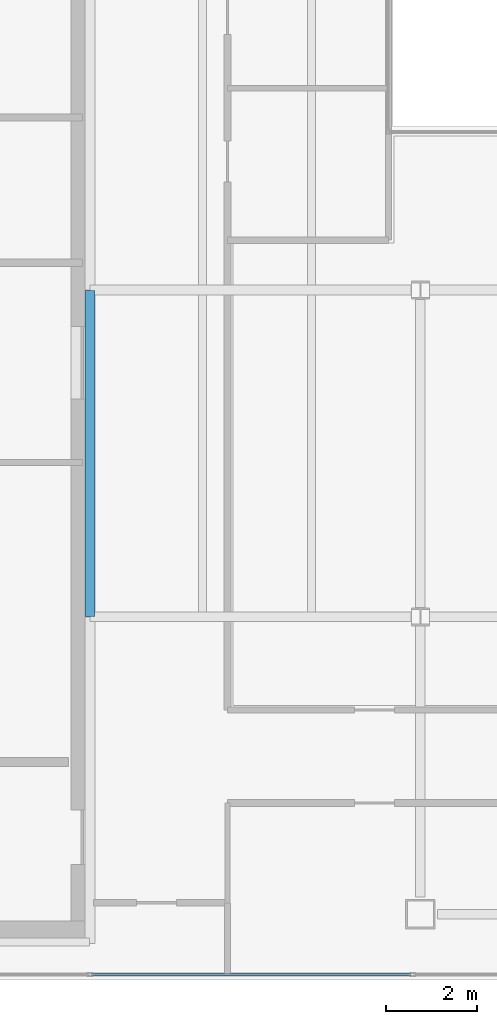
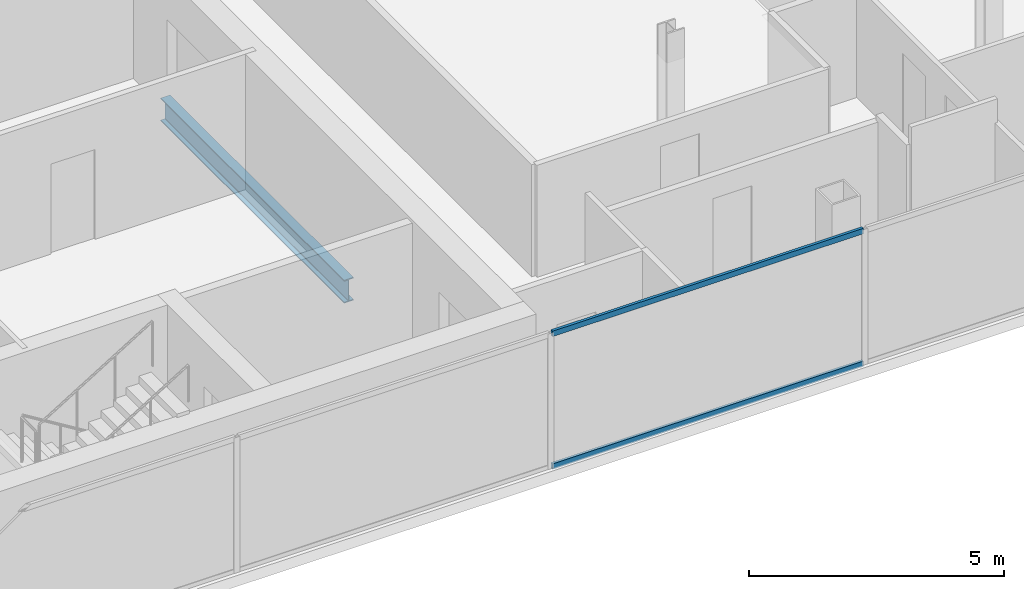
# One storey, part 4 of 24: 2 members, 1 beam, 1 element without a shape of its own.
"""IFC4 building model written with IfcOpenShell, lengths in metres."""

from ifc_helpers import new_model, si_unit, direction, frame, origin, origin_2d, place, context, subcontext, project, spatial, hollow_rectangle, i_section, extrude, material, material_profile, profile_set, type_object, element, aggregate, save


model = new_model("IFC4")

# Units and contexts
model_context = context("Model", 3, precision=1e-05, world=origin(), true_north=direction((0.0, 1.0)))
body_context = subcontext(model_context, "Body", "Model", "MODEL_VIEW")
ifc_project = project(units=[si_unit("LENGTHUNIT", "METRE"), si_unit("AREAUNIT", "SQUARE_METRE"), si_unit("VOLUMEUNIT", "CUBIC_METRE"), si_unit("PLANEANGLEUNIT", "RADIAN"), si_unit("MASSUNIT", "GRAM", prefix="KILO")], contexts=[model_context])

# Site, building, storey
site_placement = place(None, origin())
site = spatial("IfcSite", under=ifc_project, at=site_placement, CompositionType="ELEMENT")
building_placement = place(site_placement, origin())
building = spatial("IfcBuilding", under=site, at=building_placement, Name="Cobrela Telecom Tower", CompositionType="ELEMENT")
storey_placement = place(building_placement, frame((0.0, 0.0, 241.14990234375)))
storey = spatial("IfcBuildingStorey", under=building, at=storey_placement, Name="L62", CompositionType="ELEMENT", Elevation=241.14990234375)

# Beam
ifc_material_1 = material(Name="Steel ASTM A992 Grade 50", Category="steel")
ifc_material_profile_1 = material_profile(ifc_material_1, i_section(OverallWidth=0.212890625, OverallDepth=0.549072265625, WebThickness=0.0146484375, FlangeThickness=0.023681640625, FilletRadius=0.013916015625, at=origin_2d()), Name="W21X93")
ifc_profile_set_1 = profile_set([ifc_material_profile_1], Name="Steel ASTM A992 Grade 50")
beam_type = type_object("IfcBeamType", Name="BM-GIRD-08", PredefinedType="USERDEFINED", material=ifc_profile_set_1)
beam_placement = place(storey_placement, frame((14.320068359375, 14.405029296875, -0.534423828125), z_axis=(0.0, 1.0, 0.0), x_axis=(-1.0, 0.0, 0.0)))
element("IfcBeam", 1, at=beam_placement, inside=storey, type_object=beam_type, Name="L62 Primary Girder Y20", ObjectType="GIRDER", PredefinedType="USERDEFINED", context=body_context, shape_type="SweptSolid", body=[
    extrude(i_section(OverallWidth=0.212890625, OverallDepth=0.549072265625, WebThickness=0.0146484375, FlangeThickness=0.023681640625, FilletRadius=0.013916015625, at=origin_2d()), origin(), (0.0, 0.0, 1.0), 7.18994140625),
])

# Curtain wall, members
ifc_material_2 = material(Name="Anodized Bronze Aluminium 6063-T6", Category="aluminium")
curtain_wall_type = type_object("IfcCurtainWallType", Name="CW-SYS-OFF-HI", PredefinedType="USERDEFINED", material=ifc_material_2)
curtain_wall_placement = place(storey_placement, origin())
curtain_wall = element("IfcCurtainWall", 2, at=curtain_wall_placement, inside=storey, type_object=curtain_wall_type, Name="L62 Unitised Bronze Curtain Wall 15", ObjectType="UNITISED CURTAIN WALL", PredefinedType="USERDEFINED")
ifc_material_profile_2 = material_profile(ifc_material_2, hollow_rectangle(XDim=0.06494140625, YDim=0.1298828125, WallThickness=0.00390625, at=origin_2d()), Name="ALU 65x130x4")
ifc_profile_set_2 = profile_set([ifc_material_profile_2], Name="Anodized Bronze Aluminium 6063-T6")
member_type = type_object("IfcMemberType", Name="CW-SYS-OFF-HI-TRN", PredefinedType="USERDEFINED", material=ifc_profile_set_2)
member_1_placement = place(storey_placement, frame((21.389892578125, 6.52001953125, 0.03271484375), z_axis=(-1.0, 0.0, 0.0), x_axis=(0.0, -1.0, 0.0)))
member_1 = element("IfcMember", 3, at=member_1_placement, type_object=member_type, Name="CW-OFF-HI transom 4.1", ObjectType="TRANSOM", PredefinedType="USERDEFINED", context=body_context, shape_type="SweptSolid", body=[
    extrude(hollow_rectangle(XDim=0.06494140625, YDim=0.1298828125, WallThickness=0.00390625, at=origin_2d()), origin(), (0.0, 0.0, 1.0), 7.031494140625),
])
member_2_placement = place(storey_placement, frame((21.389892578125, 6.52001953125, 3.20751953125), z_axis=(-1.0, 0.0, 0.0), x_axis=(0.0, -1.0, 0.0)))
member_2 = element("IfcMember", 4, at=member_2_placement, type_object=member_type, Name="CW-OFF-HI transom 4.2", ObjectType="TRANSOM", PredefinedType="USERDEFINED", context=body_context, shape_type="SweptSolid", body=[
    extrude(hollow_rectangle(XDim=0.06494140625, YDim=0.1298828125, WallThickness=0.00390625, at=origin_2d()), origin(), (0.0, 0.0, 1.0), 7.031494140625),
])
aggregate(curtain_wall, [member_1, member_2])

save(model, "model.ifc")
